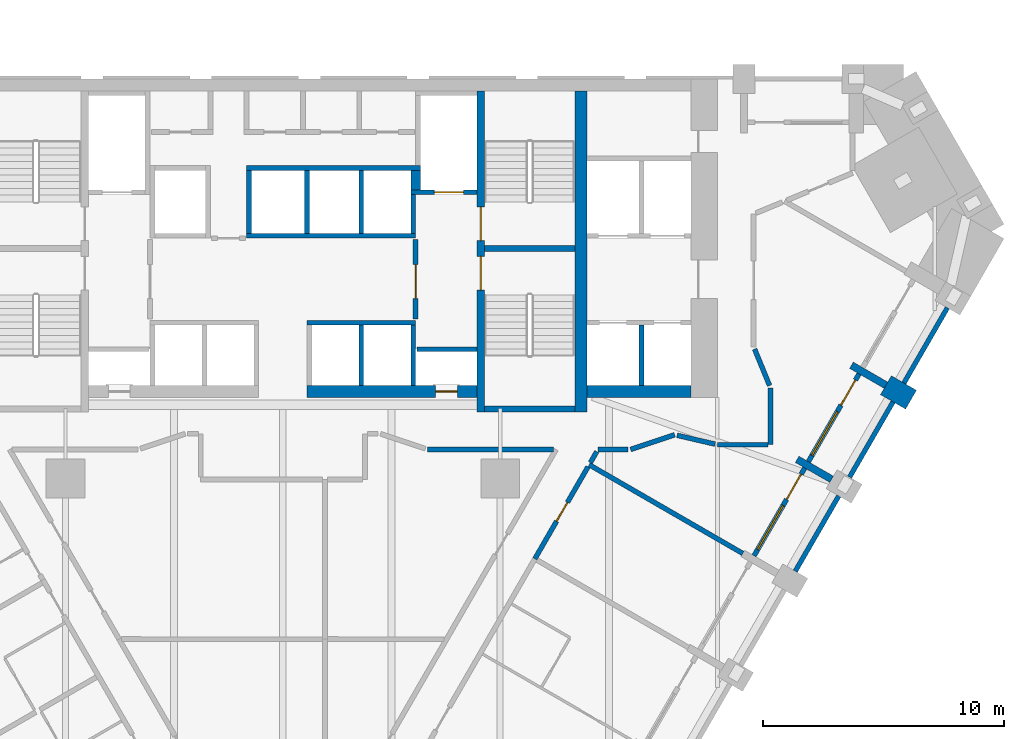
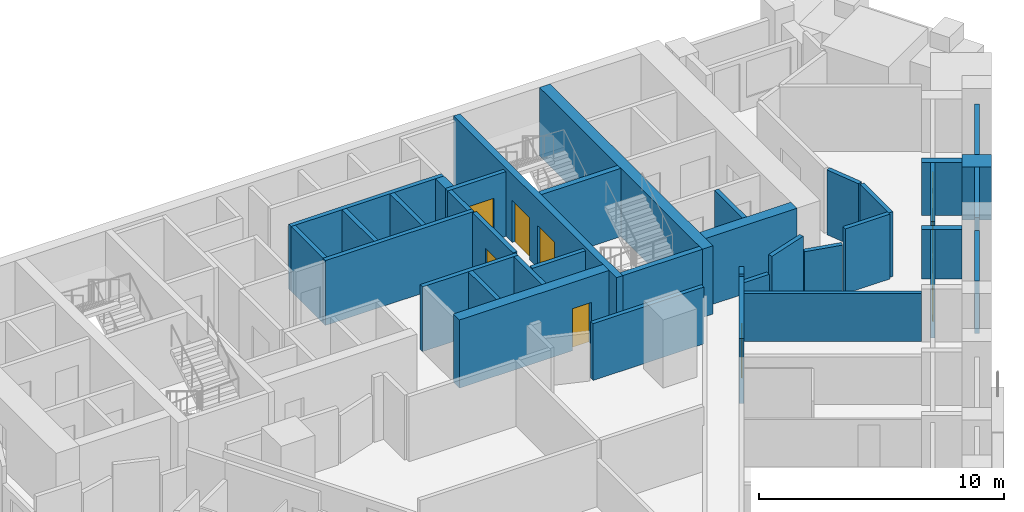
# One storey, part 8 of 11: 38 walls, 8 doors, 2 windows, 10 openings.
"""IFC4 building model written with IfcOpenShell, lengths in metres."""

from ifc_helpers import new_model, si_unit, direction, frame, frame_2d, origin, place, context, subcontext, project, spatial, polyline, rectangle, outline, extrude, material, layer, layer_set, type_object, element, fill, save


model = new_model("IFC4")

# Units and contexts
model_context = context("Model", 3, precision=1e-05, world=origin(), true_north=direction((0.0, 1.0)))
body_context = subcontext(model_context, "Body", "Model", "MODEL_VIEW")
ifc_project = project(units=[si_unit("LENGTHUNIT", "METRE"), si_unit("AREAUNIT", "SQUARE_METRE"), si_unit("VOLUMEUNIT", "CUBIC_METRE"), si_unit("PLANEANGLEUNIT", "RADIAN"), si_unit("MASSUNIT", "GRAM", prefix="KILO")], contexts=[model_context])

# Site, building, storey
site_placement = place(None, origin())
site = spatial("IfcSite", under=ifc_project, at=site_placement, CompositionType="ELEMENT")
building_placement = place(site_placement, origin())
building = spatial("IfcBuilding", under=site, at=building_placement, Name="Calabash Gate Tower", CompositionType="ELEMENT")
storey_placement = place(building_placement, frame((0.0, 0.0, 52.800048828125)))
storey = spatial("IfcBuildingStorey", under=building, at=storey_placement, Name="L08", CompositionType="ELEMENT", Elevation=52.800048828125)

# Walls
ifc_material_1 = material(Name="Terracotta brick masonry, exposed face", Category="masonry")
ifc_layer_1 = layer(ifc_material_1, 1.199951171875)
ifc_layer_set_1 = layer_set([ifc_layer_1], Name="Brick end wall 1200")
wall_type_1 = type_object("IfcWallType", Name="Brick end wall 1200", PredefinedType="SOLIDWALL", material=ifc_layer_set_1)
wall_1_placement = place(storey_placement, frame((26.01953125, 5.76220703125, 0.0), z_axis=(0.0, 0.0, 1.0), x_axis=(-0.866043267704, 0.499969057507, 0.0)))
element("IfcWall", 1, at=wall_1_placement, inside=storey, type_object=wall_type_1, Name="Brick pier S01 SE2.9", PredefinedType="SOLIDWALL", context=body_context, shape_type="SweptSolid", body=[
    extrude(rectangle(XDim=1.19970703125, YDim=0.89990234375, at=frame_2d((0.599853515625, 0.0))), origin(), (0.0, 0.0, 1.0), 2.6298828125),
])
ifc_material_2 = material(Name="Terracotta brick masonry, exposed face", Category="masonry")
ifc_layer_2 = layer(ifc_material_2, 0.300048828125)
ifc_layer_set_2 = layer_set([ifc_layer_2], Name="Brick loggia cheek wall 300")
wall_type_2 = type_object("IfcWallType", Name="Brick loggia cheek wall 300", PredefinedType="SOLIDWALL", material=ifc_layer_set_2)
wall_2_placement = place(storey_placement, frame((21.301513671875, 3.2900390625, 0.0), z_axis=(0.0, 0.0, 1.0), x_axis=(0.866020385251, -0.500008692254, 0.0)))
element("IfcWall", 2, at=wall_2_placement, inside=storey, type_object=wall_type_2, Name="Loggia cheek S01 SE2.8", PredefinedType="SOLIDWALL", context=body_context, shape_type="SweptSolid", body=[
    extrude(rectangle(XDim=1.64892578125, YDim=0.300048828125, at=frame_2d((0.824462890625, 0.0))), origin(), (0.0, 0.0, 1.0), 2.449951171875),
])
wall_3_placement = place(storey_placement, frame((24.98046875, 6.362060546875, 0.0), z_axis=(0.0, 0.0, 1.0), x_axis=(-0.865976140824, 0.500085316245, 0.0)))
element("IfcWall", 3, at=wall_3_placement, inside=storey, type_object=wall_type_2, Name="Loggia cheek S01 SE2.9", PredefinedType="SOLIDWALL", context=body_context, shape_type="SweptSolid", body=[
    extrude(rectangle(XDim=1.650146484375, YDim=0.300048828125, at=frame_2d((0.8251953125, 0.0))), origin(), (0.0, 0.0, 1.0), 2.64990234375),
])
ifc_material_3 = material(Name="Concrete C80/95", Category="concrete")
ifc_layer_3 = layer(ifc_material_3, 0.25)
ifc_layer_set_3 = layer_set([ifc_layer_3], Name="Core wall 250 Concrete C80/95")
wall_type_3 = type_object("IfcWallType", Name="Core wall 250 Concrete C80/95", PredefinedType="SHEAR", material=ifc_layer_set_3)
for number, where, z_axis, x_axis, name in (
    (4, (8.35009765625, 12.027587890625, 0.0), (0.0, 0.0, 1.0), (1.0, 0.0, 0.0), "Core wall Z1-MIDE L08"),
    (5, (8.35009765625, 5.377685546875, 0.0), (0.0, 0.0, 1.0), (1.0, 0.0, 0.0), "Core wall Z1-SSE L08"),
):
    element("IfcWall", number, at=place(storey_placement, frame(where, z_axis=z_axis, x_axis=x_axis)), inside=storey, type_object=wall_type_3, Name=name, PredefinedType="SHEAR", context=body_context, shape_type="SweptSolid", body=[
        extrude(rectangle(XDim=3.75, YDim=0.25, at=frame_2d((1.875, 0.0))), origin(), (0.0, 0.0, 1.0), 3.39990234375),
    ])

# Wall, openings, doors
ifc_material_4 = material(Name="Concrete C80/95", Category="concrete")
ifc_layer_4 = layer(ifc_material_4, 0.300048828125)
ifc_layer_set_4 = layer_set([ifc_layer_4], Name="Core wall 300 Concrete C80/95")
wall_type_4 = type_object("IfcWallType", Name="Core wall 300 Concrete C80/95", PredefinedType="SHEAR", material=ifc_layer_set_4)
wall_4_placement = place(storey_placement, frame((8.199951171875, 5.252685546875, 0.0), z_axis=(0.0, 0.0, 1.0), x_axis=(0.0, 1.0, 0.0)))
wall_4 = element("IfcWall", 6, at=wall_4_placement, inside=storey, type_object=wall_type_4, Name="Core wall Z1-PARTE L08", PredefinedType="SHEAR", context=body_context, shape_type="SweptSolid", body=[
    extrude(rectangle(XDim=13.2998046875, YDim=0.300048828125, at=frame_2d((6.64990234375, 0.0))), origin(), (0.0, 0.0, 1.0), 3.39990234375),
])
opening_1_placement = place(wall_4_placement, frame((7.10009765625, 0.0, 0.0)))
opening_1 = element("IfcOpeningElement", 7, at=opening_1_placement, cuts=wall_4, Name="Opening H1-016", PredefinedType="OPENING", context=body_context, shape_type="SweptSolid", body=[
    extrude(rectangle(XDim=1.39990234375, YDim=2.10009765625, at=frame_2d((0.699951171875, 1.050048828125))), frame((0.0, 0.159912109375, 0.0), z_axis=(0.0, -1.0, 0.0), x_axis=(1.0, 0.0, 0.0)), (0.0, 0.0, 1.0), 0.320068359375),
])
opening_2_placement = place(wall_4_placement, frame((5.050048828125, 0.0, 0.0)))
opening_2 = element("IfcOpeningElement", 8, at=opening_2_placement, cuts=wall_4, Name="Opening H1-017", PredefinedType="OPENING", context=body_context, shape_type="SweptSolid", body=[
    extrude(rectangle(XDim=1.39990234375, YDim=2.10009765625, at=frame_2d((0.699951171875, 1.050048828125))), frame((0.0, 0.159912109375, 0.0), z_axis=(0.0, -1.0, 0.0), x_axis=(1.0, 0.0, 0.0)), (0.0, 0.0, 1.0), 0.320068359375),
])
ifc_material_5 = material(Name="Steel fire door set with fire-resisting glazing", Category="steel")
door_type_1 = type_object("IfcDoorType", Name="Fire door D05 1400x2100 FD90", OperationType="NOTDEFINED", PredefinedType="DOOR", material=ifc_material_5)
door_1_placement = place(opening_1_placement, origin())
door_1 = element("IfcDoor", 9, at=door_1_placement, inside=storey, type_object=door_type_1, Name="Exit stair door ST3", OperationType="SINGLE_SWING_RIGHT", OverallHeight=2.10009765625, OverallWidth=1.39990234375, PredefinedType="DOOR", context=body_context, shape_type="SweptSolid", body=[
    extrude(rectangle(XDim=1.39990234375, YDim=2.10009765625, at=frame_2d((0.699951171875, 1.050048828125))), frame((0.0, 0.02490234375, 0.0), z_axis=(0.0, -1.0, 0.0), x_axis=(1.0, 0.0, 0.0)), (0.0, 0.0, 1.0), 0.050048828125),
])
fill(opening_1, door_1)
door_2_placement = place(opening_2_placement, origin())
door_2 = element("IfcDoor", 10, at=door_2_placement, inside=storey, type_object=door_type_1, Name="Exit stair door ST4", OperationType="SINGLE_SWING_LEFT", OverallHeight=2.10009765625, OverallWidth=1.39990234375, PredefinedType="DOOR", context=body_context, shape_type="SweptSolid", body=[
    extrude(rectangle(XDim=1.39990234375, YDim=2.10009765625, at=frame_2d((0.699951171875, 1.050048828125))), frame((0.0, 0.02490234375, 0.0), z_axis=(0.0, -1.0, 0.0), x_axis=(1.0, 0.0, 0.0)), (0.0, 0.0, 1.0), 0.050048828125),
])
fill(opening_2, door_2)

# Wall
ifc_material_6 = material(Name="Concrete C80/95", Category="concrete")
ifc_layer_5 = layer(ifc_material_6, 0.5)
ifc_layer_set_5 = layer_set([ifc_layer_5], Name="Core wall 500 Concrete C80/95")
wall_type_5 = type_object("IfcWallType", Name="Core wall 500 Concrete C80/95", PredefinedType="SHEAR", material=ifc_layer_set_5)
wall_5_placement = place(storey_placement, frame((12.35009765625, 5.252685546875, 0.0), z_axis=(0.0, 0.0, 1.0), x_axis=(0.0, 1.0, 0.0)))
element("IfcWall", 11, at=wall_5_placement, inside=storey, type_object=wall_type_5, Name="Core wall Z1-COLE L08", PredefinedType="SHEAR", context=body_context, shape_type="SweptSolid", body=[
    extrude(rectangle(XDim=13.2998046875, YDim=0.5, at=frame_2d((6.64990234375, 0.0))), origin(), (0.0, 0.0, 1.0), 3.39990234375),
])

# Wall, opening, door
wall_6_placement = place(storey_placement, frame((1.0, 6.1025390625, 0.0), z_axis=(0.0, 0.0, 1.0), x_axis=(1.0, 0.0, 0.0)))
wall_6 = element("IfcWall", 12, at=wall_6_placement, inside=storey, type_object=wall_type_5, Name="Core wall Z1-SB L08", PredefinedType="SHEAR", context=body_context, shape_type="SweptSolid", body=[
    extrude(rectangle(XDim=7.050048828125, YDim=0.5, at=frame_2d((3.52490234375, 0.0))), origin(), (0.0, 0.0, 1.0), 3.39990234375),
])
opening_3_placement = place(wall_6_placement, frame((5.324951171875, 0.0, 0.0)))
opening_3 = element("IfcOpeningElement", 13, at=opening_3_placement, cuts=wall_6, Name="Opening H1-012", PredefinedType="OPENING", context=body_context, shape_type="SweptSolid", body=[
    extrude(rectangle(XDim=0.89990234375, YDim=2.10009765625, at=frame_2d((0.449951171875, 1.050048828125))), frame((0.0, 0.260009765625, 0.0), z_axis=(0.0, -1.0, 0.0), x_axis=(1.0, 0.0, 0.0)), (0.0, 0.0, 1.0), 0.52001953125),
])
ifc_material_7 = material(Name="Steel fire door set with fire-resisting glazing", Category="steel")
door_type_2 = type_object("IfcDoorType", Name="Fire door D07 900x2100 FD90", OperationType="NOTDEFINED", PredefinedType="DOOR", material=ifc_material_7)
door_3_placement = place(opening_3_placement, origin())
door_3 = element("IfcDoor", 14, at=door_3_placement, inside=storey, type_object=door_type_2, Name="Mechanical Riser E door", OperationType="SINGLE_SWING_RIGHT", OverallHeight=2.10009765625, OverallWidth=0.89990234375, PredefinedType="DOOR", context=body_context, shape_type="SweptSolid", body=[
    extrude(rectangle(XDim=0.89990234375, YDim=2.10009765625, at=frame_2d((0.449951171875, 1.050048828125))), frame((0.0, 0.02490234375, 0.0), z_axis=(0.0, -1.0, 0.0), x_axis=(1.0, 0.0, 0.0)), (0.0, 0.0, 1.0), 0.050048828125),
])
fill(opening_3, door_3)

# Wall
wall_7_placement = place(storey_placement, frame((12.60009765625, 6.1025390625, 0.0), z_axis=(0.0, 0.0, 1.0), x_axis=(1.0, 0.0, 0.0)))
element("IfcWall", 15, at=wall_7_placement, inside=storey, type_object=wall_type_5, Name="Core wall Z1-SE L08", PredefinedType="SHEAR", context=body_context, shape_type="SweptSolid", body=[
    extrude(rectangle(XDim=4.2998046875, YDim=0.5, at=frame_2d((2.14990234375, 0.0))), origin(), (0.0, 0.0, 1.0), 3.39990234375),
])

# Wall, opening, door
ifc_material_8 = material(Name="Gypsum board on steel studs, mineral wool", Category="steel")
ifc_layer_6 = layer(ifc_material_8, 0.199951171875)
ifc_layer_set_6 = layer_set([ifc_layer_6], Name="Partition 200 gypsum board EI 60")
wall_type_6 = type_object("IfcWallType", Name="Partition 200 gypsum board EI 60", PredefinedType="PARTITIONING", material=ifc_layer_set_6)
wall_8_placement = place(storey_placement, frame((10.43896484375, -0.828369140625, 0.0), z_axis=(0.0, 0.0, 1.0), x_axis=(0.500013981145, 0.866017331616, 0.0)))
wall_8 = element("IfcWall", 16, at=wall_8_placement, inside=storey, type_object=wall_type_6, Name="Partition", PredefinedType="PARTITIONING", context=body_context, shape_type="SweptSolid", body=[
    extrude(rectangle(XDim=4.397705078125, YDim=0.199951171875, at=frame_2d((2.19873046875, 0.0))), origin(), (0.0, 0.0, 1.0), 3.22998046875),
])
opening_4_placement = place(wall_8_placement, frame((1.798095703125, 0.0, 0.0)))
opening_4 = element("IfcOpeningElement", 17, at=opening_4_placement, cuts=wall_8, Name="Opening 06-08-013", PredefinedType="OPENING", context=body_context, shape_type="SweptSolid", body=[
    extrude(rectangle(XDim=0.89990234375, YDim=2.10009765625, at=frame_2d((0.449951171875, 1.050048828125))), frame((0.0, 0.10986328125, 0.0), z_axis=(0.0, -1.0, 0.0), x_axis=(1.0, 0.0, 0.0)), (0.0, 0.0, 1.0), 0.219970703125),
])
ifc_material_9 = material(Name="Steel fire door set with fire-resisting glazing", Category="steel")
door_type_3 = type_object("IfcDoorType", Name="SD3 Store door 900x2100", OperationType="NOTDEFINED", PredefinedType="DOOR", material=ifc_material_9)
door_4_placement = place(opening_4_placement, origin())
door_4 = element("IfcDoor", 18, at=door_4_placement, inside=storey, type_object=door_type_3, Name="Store door", OperationType="SINGLE_SWING_LEFT", OverallHeight=2.10009765625, OverallWidth=0.89990234375, PredefinedType="DOOR", context=body_context, shape_type="SweptSolid", body=[
    extrude(rectangle(XDim=0.89990234375, YDim=2.10009765625, at=frame_2d((0.449951171875, 1.050048828125))), frame((0.0, 0.02490234375, 0.0), z_axis=(0.0, -1.0, 0.0), x_axis=(1.0, 0.0, 0.0)), (0.0, 0.0, 1.0), 0.050048828125),
])
fill(opening_4, door_4)

# Walls
wall_9_placement = place(storey_placement, frame((12.6875, 3.0693359375, 0.0), z_axis=(0.0, 0.0, 1.0), x_axis=(0.86592997719, -0.500165247297, 0.0)))
element("IfcWall", 19, at=wall_9_placement, inside=storey, type_object=wall_type_6, Name="Partition", PredefinedType="PARTITIONING", context=body_context, shape_type="SweptSolid", body=[
    extrude(rectangle(XDim=7.349609375, YDim=0.199951171875, at=frame_2d((3.6748046875, 0.0))), origin(), (0.0, 0.0, 1.0), 2.384033203125),
])
wall_10_placement = place(storey_placement, frame((12.738037109375, 3.154052734375, 0.0), z_axis=(0.0, 0.0, 1.0), x_axis=(0.497976793054, 0.867190356023, 0.0)))
element("IfcWall", 20, at=wall_10_placement, inside=storey, type_object=wall_type_6, Name="Partition", PredefinedType="PARTITIONING", context=body_context, shape_type="SweptSolid", body=[
    extrude(rectangle(XDim=0.529052734375, YDim=0.199951171875, at=frame_2d((0.2646484375, 0.0))), origin(), (0.0, 0.0, 1.0), 3.22998046875),
])
wall_11_placement = place(storey_placement, frame((6.0, 3.69970703125, 0.0), z_axis=(0.0, 0.0, 1.0), x_axis=(1.0, 0.0, 0.0)))
element("IfcWall", 21, at=wall_11_placement, inside=storey, type_object=wall_type_6, Name="Partition", PredefinedType="PARTITIONING", context=body_context, shape_type="SweptSolid", body=[
    extrude(rectangle(XDim=5.21875, YDim=0.199951171875, at=frame_2d((2.609375, 0.0))), origin(), (0.0, 0.0, 1.0), 2.83154296875),
])
wall_12_placement = place(storey_placement, frame((13.051513671875, 3.699462890625, 0.0), z_axis=(0.0, 0.0, 1.0), x_axis=(1.0, 0.0, 0.0)))
element("IfcWall", 22, at=wall_12_placement, inside=storey, type_object=wall_type_6, Name="Partition", PredefinedType="PARTITIONING", context=body_context, shape_type="SweptSolid", body=[
    extrude(rectangle(XDim=1.24853515625, YDim=0.199951171875, at=frame_2d((0.624267578125, 0.0))), origin(), (0.0, 0.0, 1.0), 2.384033203125),
])
wall_13_placement = place(storey_placement, frame((18.0, 3.8994140625, 0.0), z_axis=(0.0, 0.0, 1.0), x_axis=(0.999999993244, 0.000116238521, 0.0)))
element("IfcWall", 23, at=wall_13_placement, inside=storey, type_object=wall_type_6, Name="Partition", PredefinedType="PARTITIONING", context=body_context, shape_type="SweptSolid", body=[
    extrude(rectangle(XDim=2.100341796875, YDim=0.199951171875, at=frame_2d((1.05029296875, 0.0))), origin(), (0.0, 0.0, 1.0), 3.22998046875),
])
wall_14_placement = place(storey_placement, frame((16.325927734375, 4.28662109375, 0.0), z_axis=(0.0, 0.0, 1.0), x_axis=(0.974302124523, -0.225245133464, 0.0)))
element("IfcWall", 24, at=wall_14_placement, inside=storey, type_object=wall_type_6, Name="Partition", PredefinedType="PARTITIONING", context=body_context, shape_type="SweptSolid", body=[
    extrude(rectangle(XDim=1.6181640625, YDim=0.199951171875, at=frame_2d((0.80908203125, 0.0))), origin(), (0.0, 0.0, 1.0), 2.449951171875),
])
wall_15_placement = place(storey_placement, frame((14.400146484375, 3.699462890625, 0.0), z_axis=(0.0, 0.0, 1.0), x_axis=(0.948657960303, 0.316303769112, 0.0)))
element("IfcWall", 25, at=wall_15_placement, inside=storey, type_object=wall_type_6, Name="Partition", PredefinedType="PARTITIONING", context=body_context, shape_type="SweptSolid", body=[
    extrude(rectangle(XDim=1.92724609375, YDim=0.199951171875, at=frame_2d((0.963623046875, 0.0))), origin(), (0.0, 0.0, 1.0), 3.22998046875),
])
wall_16_placement = place(storey_placement, frame((20.200439453125, 3.899658203125, 0.0), z_axis=(0.0, 0.0, 1.0), x_axis=(0.0, 1.0, 0.0)))
element("IfcWall", 26, at=wall_16_placement, inside=storey, type_object=wall_type_6, Name="Partition", PredefinedType="PARTITIONING", context=body_context, shape_type="SweptSolid", body=[
    extrude(rectangle(XDim=2.35302734375, YDim=0.199951171875, at=frame_2d((1.176513671875, 0.0))), origin(), (0.0, 0.0, 1.0), 3.22998046875),
])
wall_17_placement = place(storey_placement, frame((19.53857421875, 7.860107421875, 0.0), z_axis=(0.0, 0.0, 1.0), x_axis=(0.380749805254, -0.924678098475, 0.0)))
element("IfcWall", 27, at=wall_17_placement, inside=storey, type_object=wall_type_6, Name="Partition", PredefinedType="PARTITIONING", context=body_context, shape_type="SweptSolid", body=[
    extrude(rectangle(XDim=1.63818359375, YDim=0.199951171875, at=frame_2d((0.819091796875, 0.0))), origin(), (0.0, 0.0, 1.0), 3.22998046875),
])
ifc_material_10 = material(Name="Concrete C40/50", Category="concrete")
ifc_layer_7 = layer(ifc_material_10, 0.199951171875)
ifc_layer_set_7 = layer_set([ifc_layer_7], Name="Shaft wall 200 Concrete C40/50")
wall_type_7 = type_object("IfcWallType", Name="Shaft wall 200 Concrete C40/50", PredefinedType="SOLIDWALL", material=ifc_layer_set_7)
for number, where, z_axis, x_axis, name in (
    (28, (3.25, 6.3525390625, 0.0), (0.0, 0.0, 1.0), (0.0, 1.0, 0.0), "Shaft wall"),
    (29, (5.39990234375, 6.3525390625, 0.0), (0.0, 0.0, 1.0), (0.0, 1.0, 0.0), "Shaft wall"),
    (30, (14.85009765625, 6.3525390625, 0.0), (0.0, 0.0, 1.0), (0.0, 1.0, 0.0), "Shaft wall"),
    (31, (5.550048828125, 7.8525390625, 0.0), (0.0, 0.0, 1.0), (1.0, 0.0, 0.0), "Shaft wall"),
):
    element("IfcWall", number, at=place(storey_placement, frame(where, z_axis=z_axis, x_axis=x_axis)), inside=storey, type_object=wall_type_7, Name=name, PredefinedType="SOLIDWALL", context=body_context, shape_type="SweptSolid", body=[
        extrude(rectangle(XDim=2.5, YDim=0.199951171875, at=frame_2d((1.25, 0.0))), origin(), (0.0, 0.0, 1.0), 3.22998046875),
    ])
wall_18_placement = place(storey_placement, frame((1.0, 8.95263671875, 0.0), z_axis=(0.0, 0.0, 1.0), x_axis=(1.0, 0.0, 0.0)))
element("IfcWall", 32, at=wall_18_placement, inside=storey, type_object=wall_type_7, Name="Shaft wall", PredefinedType="SOLIDWALL", context=body_context, shape_type="SweptSolid", body=[
    extrude(rectangle(XDim=4.5, YDim=0.199951171875, at=frame_2d((2.25, 0.0))), origin(), (0.0, 0.0, 1.0), 3.22998046875),
])

# Wall, opening, door
wall_19_placement = place(storey_placement, frame((5.5, 9.1025390625, 0.0), z_axis=(0.0, 0.0, 1.0), x_axis=(0.0, 1.0, 0.0)))
wall_19 = element("IfcWall", 33, at=wall_19_placement, inside=storey, type_object=wall_type_7, Name="Shaft wall", PredefinedType="SOLIDWALL", context=body_context, shape_type="SweptSolid", body=[
    extrude(rectangle(XDim=3.300048828125, YDim=0.199951171875, at=frame_2d((1.64990234375, 0.0))), origin(), (0.0, 0.0, 1.0), 3.22998046875),
])
opening_5_placement = place(wall_19_placement, frame((0.85009765625, 0.0, 0.0)))
opening_5 = element("IfcOpeningElement", 34, at=opening_5_placement, cuts=wall_19, Name="Opening H1-006", PredefinedType="OPENING", context=body_context, shape_type="SweptSolid", body=[
    extrude(rectangle(XDim=1.39990234375, YDim=2.10009765625, at=frame_2d((0.699951171875, 1.050048828125))), frame((0.0, 0.10986328125, 0.0), z_axis=(0.0, -1.0, 0.0), x_axis=(1.0, 0.0, 0.0)), (0.0, 0.0, 1.0), 0.219970703125),
])
door_5_placement = place(opening_5_placement, origin())
door_5 = element("IfcDoor", 35, at=door_5_placement, inside=storey, type_object=door_type_1, Name="Firefighting Lobby E door", OperationType="SINGLE_SWING_LEFT", OverallHeight=2.10009765625, OverallWidth=1.39990234375, PredefinedType="DOOR", context=body_context, shape_type="SweptSolid", body=[
    extrude(rectangle(XDim=1.39990234375, YDim=2.10009765625, at=frame_2d((0.699951171875, 1.050048828125))), frame((0.0, 0.02490234375, 0.0), z_axis=(0.0, -1.0, 0.0), x_axis=(1.0, 0.0, 0.0)), (0.0, 0.0, 1.0), 0.050048828125),
])
fill(opening_5, door_5)

# Walls
wall_20_placement = place(storey_placement, frame((-1.5, 12.552490234375, 0.0), z_axis=(0.0, 0.0, 1.0), x_axis=(1.0, 0.0, 0.0)))
element("IfcWall", 36, at=wall_20_placement, inside=storey, type_object=wall_type_7, Name="Shaft wall", PredefinedType="SOLIDWALL", context=body_context, shape_type="SweptSolid", body=[
    extrude(rectangle(XDim=7.0, YDim=0.199951171875, at=frame_2d((3.5, 0.0))), origin(), (0.0, 0.0, 1.0), 3.22998046875),
])
for number, where, z_axis, x_axis, name in (
    (37, (-1.39990234375, 12.652587890625, 0.0), (0.0, 0.0, 1.0), (0.0, 1.0, 0.0), "Shaft wall"),
    (38, (1.0, 12.652587890625, 0.0), (0.0, 0.0, 1.0), (0.0, 1.0, 0.0), "Shaft wall"),
    (39, (3.25, 12.652587890625, 0.0), (0.0, 0.0, 1.0), (0.0, 1.0, 0.0), "Shaft wall"),
):
    element("IfcWall", number, at=place(storey_placement, frame(where, z_axis=z_axis, x_axis=x_axis)), inside=storey, type_object=wall_type_7, Name=name, PredefinedType="SOLIDWALL", context=body_context, shape_type="SweptSolid", body=[
        extrude(rectangle(XDim=2.60009765625, YDim=0.199951171875, at=frame_2d((1.300048828125, 0.0))), origin(), (0.0, 0.0, 1.0), 3.22998046875),
    ])
wall_21_placement = place(storey_placement, frame((5.39990234375, 12.652587890625, 0.0), z_axis=(0.0, 0.0, 1.0), x_axis=(0.0, 1.0, 0.0)))
element("IfcWall", 40, at=wall_21_placement, inside=storey, type_object=wall_type_7, Name="Shaft wall", PredefinedType="SOLIDWALL", context=body_context, shape_type="SweptSolid", body=[
    extrude(rectangle(XDim=1.60009765625, YDim=0.199951171875, at=frame_2d((0.800048828125, 0.0))), origin(), (0.0, 0.0, 1.0), 3.22998046875),
])

# Wall, opening, door
wall_22_placement = place(storey_placement, frame((5.300048828125, 14.3525390625, 0.0), z_axis=(0.0, 0.0, 1.0), x_axis=(1.0, 0.0, 0.0)))
wall_22 = element("IfcWall", 41, at=wall_22_placement, inside=storey, type_object=wall_type_7, Name="Shaft wall", PredefinedType="SOLIDWALL", context=body_context, shape_type="SweptSolid", body=[
    extrude(rectangle(XDim=2.75, YDim=0.199951171875, at=frame_2d((1.375, 0.0))), origin(), (0.0, 0.0, 1.0), 3.22998046875),
])
opening_6_placement = place(wall_22_placement, frame((0.97509765625, 0.0, 0.0)))
opening_6 = element("IfcOpeningElement", 42, at=opening_6_placement, cuts=wall_22, Name="Opening LD-FF2", PredefinedType="OPENING", context=body_context, shape_type="SweptSolid", body=[
    extrude(rectangle(XDim=1.199951171875, YDim=2.10009765625, at=frame_2d((0.60009765625, 1.050048828125))), frame((0.0, 0.10986328125, 0.0), z_axis=(0.0, -1.0, 0.0), x_axis=(1.0, 0.0, 0.0)), (0.0, 0.0, 1.0), 0.219970703125),
])
ifc_material_11 = material(Name="Stainless steel sliding door leaves", Category="steel")
door_type_4 = type_object("IfcDoorType", Name="Lift landing door LS3 1200x2100 FD90", OperationType="DOUBLE_DOOR_SLIDING", PredefinedType="DOOR", material=ifc_material_11)
door_6_placement = place(opening_6_placement, origin())
door_6 = element("IfcDoor", 43, at=door_6_placement, inside=storey, type_object=door_type_4, Name="Lift landing door FF2", OperationType="DOUBLE_DOOR_SLIDING", OverallHeight=2.10009765625, OverallWidth=1.199951171875, PredefinedType="DOOR", context=body_context, shape_type="SweptSolid", body=[
    extrude(rectangle(XDim=1.199951171875, YDim=2.10009765625, at=frame_2d((0.60009765625, 1.050048828125))), frame((0.0, 0.02490234375, 0.0), z_axis=(0.0, -1.0, 0.0), x_axis=(1.0, 0.0, 0.0)), (0.0, 0.0, 1.0), 0.050048828125),
])
fill(opening_6, door_6)

# Walls
wall_23_placement = place(storey_placement, frame((5.5, 14.45263671875, 0.0), z_axis=(0.0, 0.0, 1.0), x_axis=(0.0, 1.0, 0.0)))
element("IfcWall", 44, at=wall_23_placement, inside=storey, type_object=wall_type_7, Name="Shaft wall", PredefinedType="SOLIDWALL", context=body_context, shape_type="SweptSolid", body=[
    extrude(rectangle(XDim=0.800048828125, YDim=0.39990234375, at=frame_2d((0.39990234375, 0.0))), origin(), (0.0, 0.0, 1.0), 3.22998046875),
])
wall_24_placement = place(storey_placement, frame((-1.5, 15.3525390625, 0.0), z_axis=(0.0, 0.0, 1.0), x_axis=(1.0, 0.0, 0.0)))
element("IfcWall", 45, at=wall_24_placement, inside=storey, type_object=wall_type_7, Name="Shaft wall", PredefinedType="SOLIDWALL", context=body_context, shape_type="SweptSolid", body=[
    extrude(rectangle(XDim=7.199951171875, YDim=0.199951171875, at=frame_2d((3.60009765625, 0.0))), origin(), (0.0, 0.0, 1.0), 3.22998046875),
])
ifc_material_12 = material(Name="Terracotta brick masonry, perforated", Category="masonry")
ifc_layer_8 = layer(ifc_material_12, 0.199951171875)
ifc_layer_set_8 = layer_set([ifc_layer_8], Name="Terracotta jaali screen A")
wall_type_8 = type_object("IfcWallType", Name="Terracotta jaali screen A", PredefinedType="SOLIDWALL", material=ifc_layer_set_8)
wall_25_placement = place(storey_placement, frame((21.22509765625, -1.34228515625, 0.0), z_axis=(0.0, 0.0, 1.0), x_axis=(0.499961193289, 0.866047807691, 0.0)))
element("IfcWall", 46, at=wall_25_placement, inside=storey, type_object=wall_type_8, Name="SCREEN A S01 SE2.8", PredefinedType="SOLIDWALL", context=body_context, shape_type="SweptSolid", body=[
    extrude(rectangle(XDim=3.599853515625, YDim=0.199951171875, at=frame_2d((1.7998046875, 0.0))), origin(), (0.0, 0.0, 1.0), 2.6298828125),
])
wall_26_placement = place(storey_placement, origin())
element("IfcWall", 47, at=wall_26_placement, inside=storey, type_object=wall_type_8, Name="SCREEN A S01 SE2.9", PredefinedType="SOLIDWALL", context=body_context, shape_type="SweptSolid", body=[
    extrude(outline(polyline([(25.1884765625, 5.722412109375), (23.38916015625, 2.606201171875), (23.5625, 2.50634765625), (25.361572265625, 5.62255859375), (25.1884765625, 5.722412109375)])), origin(), (0.0, 0.0, 1.0), 2.6298828125),
])
wall_27_placement = place(storey_placement, frame((25.72509765625, 6.451904296875, 0.0), z_axis=(0.0, 0.0, 1.0), x_axis=(0.499961193289, 0.866047807691, 0.0)))
element("IfcWall", 48, at=wall_27_placement, inside=storey, type_object=wall_type_8, Name="SCREEN A S01 SE2.10", PredefinedType="SOLIDWALL", context=body_context, shape_type="SweptSolid", body=[
    extrude(rectangle(XDim=3.599853515625, YDim=0.199951171875, at=frame_2d((1.7998046875, 0.0))), origin(), (0.0, 0.0, 1.0), 2.6298828125),
])

# Wall, openings, door, window
ifc_material_13 = material(Name="Aluminium framed window wall with insulated spandrel", Category="aluminium")
ifc_layer_9 = layer(ifc_material_13, 0.199951171875)
ifc_layer_set_9 = layer_set([ifc_layer_9], Name="Window wall 200")
wall_type_9 = type_object("IfcWallType", Name="Window wall 200", PredefinedType="ELEMENTEDWALL", material=ifc_layer_set_9)
wall_28_placement = place(storey_placement, frame((19.51611328125, -0.7021484375, 0.0), z_axis=(0.0, 0.0, 1.0), x_axis=(0.500027713859, 0.866009402589, 0.0)))
wall_28 = element("IfcWall", 49, at=wall_28_placement, inside=storey, type_object=wall_type_9, Name="Window wall S01 SE2.8", PredefinedType="ELEMENTEDWALL", context=body_context, shape_type="SweptSolid", body=[
    extrude(rectangle(XDim=4.199951171875, YDim=0.199951171875, at=frame_2d((2.10009765625, 0.0))), origin(), (0.0, 0.0, 1.0), 2.449951171875),
])
opening_7_placement = place(wall_28_placement, frame((0.300048828125, 0.0, 0.60009765625)))
opening_7 = element("IfcOpeningElement", 50, at=opening_7_placement, cuts=wall_28, Name="Opening HW1L-1750", PredefinedType="OPENING", context=body_context, shape_type="SweptSolid", body=[
    extrude(rectangle(XDim=2.10009765625, YDim=1.75, at=frame_2d((1.050048828125, 0.875))), frame((0.0, 0.10986328125, 0.0), z_axis=(0.0, -1.0, 0.0), x_axis=(1.0, 0.0, 0.0)), (0.0, 0.0, 1.0), 0.219970703125),
])
opening_8_placement = place(wall_28_placement, frame((2.699951171875, 0.0, 0.0)))
opening_8 = element("IfcOpeningElement", 51, at=opening_8_placement, cuts=wall_28, Name="Opening H1-022", PredefinedType="OPENING", context=body_context, shape_type="SweptSolid", body=[
    extrude(rectangle(XDim=1.199951171875, YDim=2.35009765625, at=frame_2d((0.60009765625, 1.175048828125))), frame((0.0, 0.10986328125, 0.0), z_axis=(0.0, -1.0, 0.0), x_axis=(1.0, 0.0, 0.0)), (0.0, 0.0, 1.0), 0.219970703125),
])
ifc_material_14 = material(Name="Anodised aluminium frame, bronze finish, impact-rated laminated clear glazing", Category="aluminium")
door_type_5 = type_object("IfcDoorType", Name="Loggia door DH1L-2350 1200x2350", OperationType="SLIDING_TO_LEFT", PredefinedType="DOOR", material=ifc_material_14)
door_7_placement = place(opening_8_placement, origin())
door_7 = element("IfcDoor", 52, at=door_7_placement, inside=storey, type_object=door_type_5, Name="Loggia door S01 SE2.8", OperationType="SINGLE_SWING_LEFT", OverallHeight=2.35009765625, OverallWidth=1.199951171875, PredefinedType="DOOR", context=body_context, shape_type="SweptSolid", body=[
    extrude(rectangle(XDim=1.199951171875, YDim=2.35009765625, at=frame_2d((0.60009765625, 1.175048828125))), frame((0.0, 0.02490234375, 0.0), z_axis=(0.0, -1.0, 0.0), x_axis=(1.0, 0.0, 0.0)), (0.0, 0.0, 1.0), 0.050048828125),
])
fill(opening_8, door_7)
ifc_material_15 = material(Name="Anodised aluminium frame, bronze finish, impact-rated laminated clear glazing", Category="aluminium")
window_type_1 = type_object("IfcWindowType", Name="Window HW1L 2100x1750", PartitioningType="DOUBLE_PANEL_VERTICAL", PredefinedType="WINDOW", material=ifc_material_15)
window_1_placement = place(opening_7_placement, origin())
window_1 = element("IfcWindow", 53, at=window_1_placement, inside=storey, type_object=window_type_1, Name="Window HW1 S01 SE2.8", OverallHeight=1.75, OverallWidth=2.10009765625, PartitioningType="SINGLE_PANEL", PredefinedType="WINDOW", context=body_context, shape_type="SweptSolid", body=[
    extrude(rectangle(XDim=2.10009765625, YDim=1.75, at=frame_2d((1.050048828125, 0.875))), frame((0.0, 0.030029296875, 0.0), z_axis=(0.0, -1.0, 0.0), x_axis=(1.0, 0.0, 0.0)), (0.0, 0.0, 1.0), 0.06005859375),
])
fill(opening_7, window_1)

wall_29_placement = place(storey_placement, frame((21.76611328125, 3.195068359375, 0.0), z_axis=(0.0, 0.0, 1.0), x_axis=(0.500027713859, 0.866009402589, 0.0)))
wall_29 = element("IfcWall", 54, at=wall_29_placement, inside=storey, type_object=wall_type_9, Name="Window wall S01 SE2.9", PredefinedType="ELEMENTEDWALL", context=body_context, shape_type="SweptSolid", body=[
    extrude(rectangle(XDim=4.199951171875, YDim=0.199951171875, at=frame_2d((2.10009765625, 0.0))), origin(), (0.0, 0.0, 1.0), 2.64990234375),
])
opening_9_placement = place(wall_29_placement, frame((0.300048828125, 0.0, 0.60009765625)))
opening_9 = element("IfcOpeningElement", 55, at=opening_9_placement, cuts=wall_29, Name="Opening HW1", PredefinedType="OPENING", context=body_context, shape_type="SweptSolid", body=[
    extrude(rectangle(XDim=2.10009765625, YDim=1.800048828125, at=frame_2d((1.050048828125, 0.89990234375))), frame((0.0, 0.10986328125, 0.0), z_axis=(0.0, -1.0, 0.0), x_axis=(1.0, 0.0, 0.0)), (0.0, 0.0, 1.0), 0.219970703125),
])
opening_10_placement = place(wall_29_placement, frame((2.699951171875, 0.0, 0.0)))
opening_10 = element("IfcOpeningElement", 56, at=opening_10_placement, cuts=wall_29, Name="Opening H1-023", PredefinedType="OPENING", context=body_context, shape_type="SweptSolid", body=[
    extrude(rectangle(XDim=1.199951171875, YDim=2.39990234375, at=frame_2d((0.60009765625, 1.199951171875))), frame((0.0, 0.10986328125, 0.0), z_axis=(0.0, -1.0, 0.0), x_axis=(1.0, 0.0, 0.0)), (0.0, 0.0, 1.0), 0.219970703125),
])
ifc_material_16 = material(Name="Anodised aluminium frame, bronze finish, impact-rated laminated clear glazing", Category="aluminium")
door_type_6 = type_object("IfcDoorType", Name="Loggia door DH1 1200x2400", OperationType="SLIDING_TO_LEFT", PredefinedType="DOOR", material=ifc_material_16)
door_8_placement = place(opening_10_placement, origin())
door_8 = element("IfcDoor", 57, at=door_8_placement, inside=storey, type_object=door_type_6, Name="Loggia door S01 SE2.9", OperationType="SINGLE_SWING_LEFT", OverallHeight=2.39990234375, OverallWidth=1.199951171875, PredefinedType="DOOR", context=body_context, shape_type="SweptSolid", body=[
    extrude(rectangle(XDim=1.199951171875, YDim=2.39990234375, at=frame_2d((0.60009765625, 1.199951171875))), frame((0.0, 0.02490234375, 0.0), z_axis=(0.0, -1.0, 0.0), x_axis=(1.0, 0.0, 0.0)), (0.0, 0.0, 1.0), 0.050048828125),
])
fill(opening_10, door_8)
ifc_material_17 = material(Name="Anodised aluminium frame, bronze finish, impact-rated laminated clear glazing", Category="aluminium")
window_type_2 = type_object("IfcWindowType", Name="Window HW1 2100x1800", PartitioningType="DOUBLE_PANEL_VERTICAL", PredefinedType="WINDOW", material=ifc_material_17)
window_2_placement = place(opening_9_placement, origin())
window_2 = element("IfcWindow", 58, at=window_2_placement, inside=storey, type_object=window_type_2, Name="Window HW1 S01 SE2.9", OverallHeight=1.800048828125, OverallWidth=2.10009765625, PartitioningType="SINGLE_PANEL", PredefinedType="WINDOW", context=body_context, shape_type="SweptSolid", body=[
    extrude(rectangle(XDim=2.10009765625, YDim=1.800048828125, at=frame_2d((1.050048828125, 0.89990234375))), frame((0.0, 0.030029296875, 0.0), z_axis=(0.0, -1.0, 0.0), x_axis=(1.0, 0.0, 0.0)), (0.0, 0.0, 1.0), 0.06005859375),
])
fill(opening_9, window_2)

save(model, "model.ifc")
